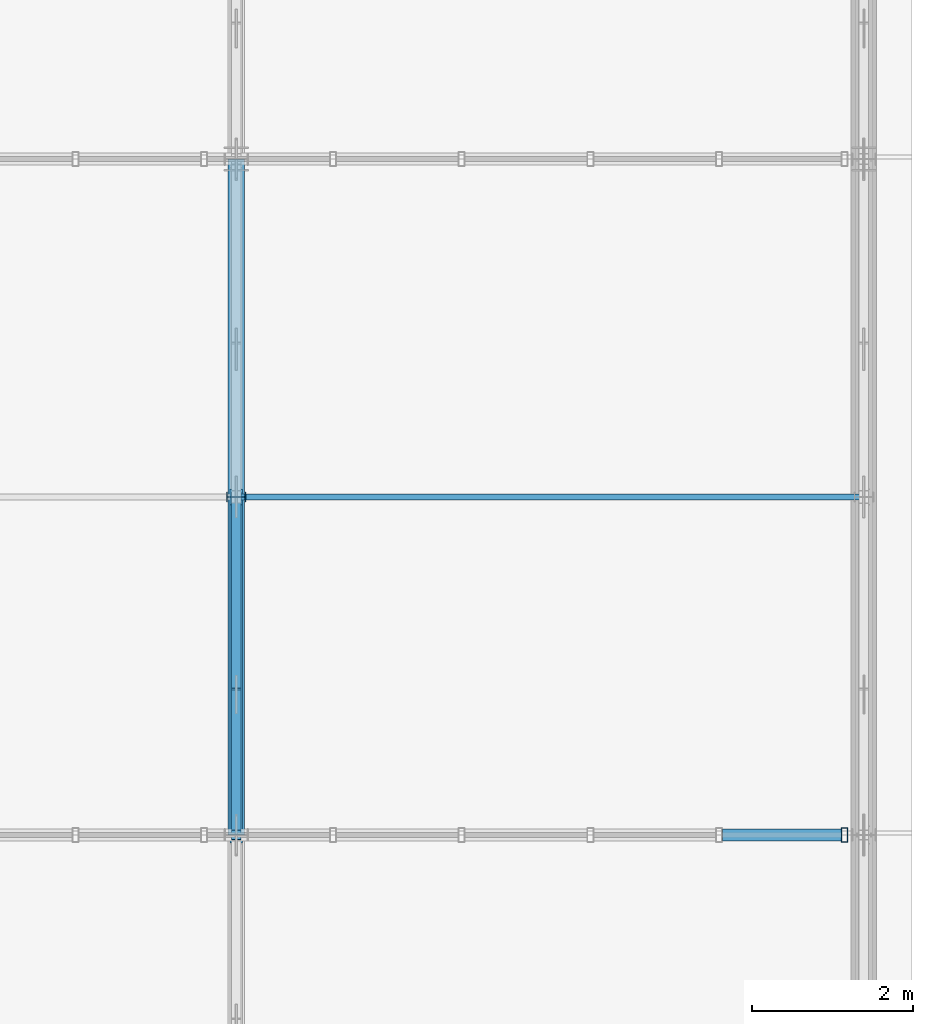
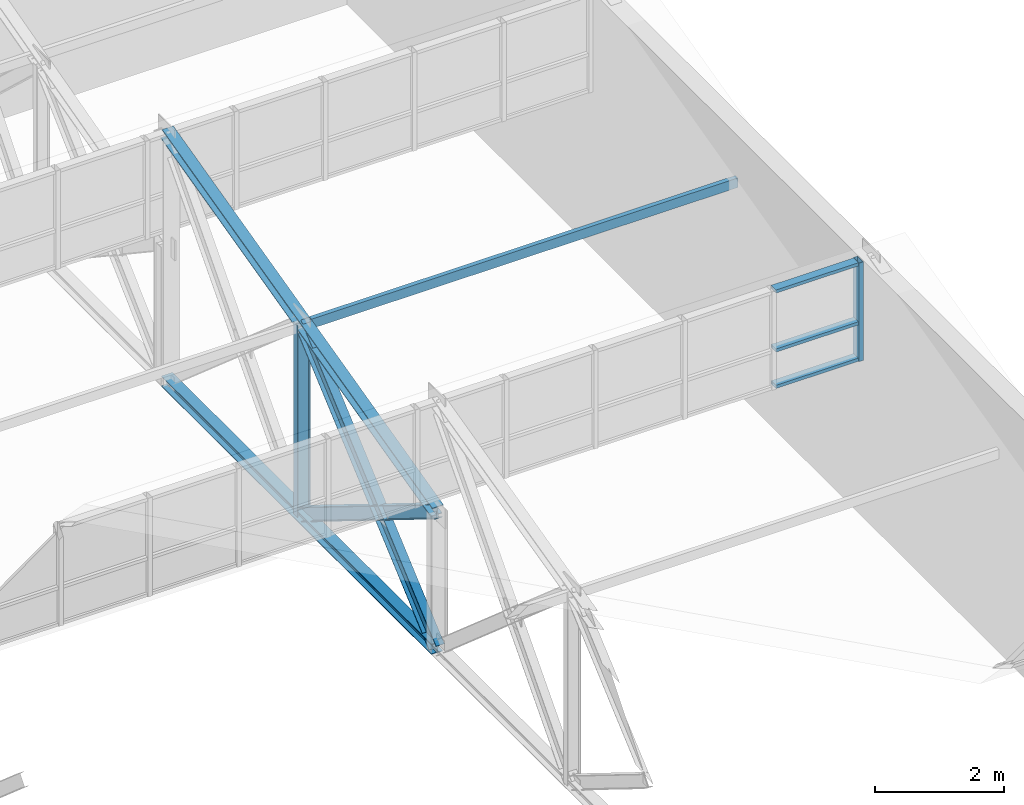
# One storey, part 80 of 123: 11 members, 1 element without a shape of its own.
"""IFC4 building model written with IfcOpenShell, lengths in metres."""

from ifc_helpers import new_model, si_unit, direction, frame, origin, origin_2d, place, context, subcontext, project, spatial, hollow_rectangle, i_section, extrude, material, layer, layer_set, material_profile, profile_set, type_object, element, aggregate, save


model = new_model("IFC4")

# Units and contexts
model_context = context("Model", 3, precision=1e-05, world=origin(), true_north=direction((0.0, 1.0)))
body_context = subcontext(model_context, "Body", "Model", "MODEL_VIEW")
ifc_project = project(units=[si_unit("LENGTHUNIT", "METRE"), si_unit("AREAUNIT", "SQUARE_METRE"), si_unit("VOLUMEUNIT", "CUBIC_METRE"), si_unit("PLANEANGLEUNIT", "RADIAN"), si_unit("MASSUNIT", "GRAM", prefix="KILO")], contexts=[model_context])

# Site, building, storey
site_placement = place(None, origin())
site = spatial("IfcSite", under=ifc_project, at=site_placement, CompositionType="ELEMENT")
building_placement = place(site_placement, origin())
building = spatial("IfcBuilding", under=site, at=building_placement, Name="Zayran Congress Hotel", CompositionType="ELEMENT")
storey_placement = place(building_placement, frame((0.0, 0.0, 15.0)))
storey = spatial("IfcBuildingStorey", under=building, at=storey_placement, Name="L03", CompositionType="ELEMENT", Elevation=15.0)

# Members
ifc_material_1 = material(Name="Steel S355", Category="steel")
ifc_material_profile_1 = material_profile(ifc_material_1, i_section(OverallWidth=0.199951171875, OverallDepth=0.199951171875, WebThickness=0.009033203125, FlangeThickness=0.014892578125, at=origin_2d()), Name="HEB 200")
ifc_profile_set_1 = profile_set([ifc_material_profile_1], Name="Steel S355")
member_type_1 = type_object("IfcMemberType", Name="TP-TR-CH2", PredefinedType="CHORD", material=ifc_profile_set_1)
member_1_placement = place(storey_placement, frame((176.39990234375, 25.60009765625, 0.0), z_axis=(0.0, 1.0, 0.0), x_axis=(-1.0, 0.0, 0.0)))
element("IfcMember", 1, at=member_1_placement, inside=storey, type_object=member_type_1, Name="Sawtooth Truss Bottom Chord 726", PredefinedType="CHORD", context=body_context, shape_type="SweptSolid", body=[
    extrude(i_section(OverallWidth=0.199951171875, OverallDepth=0.199951171875, WebThickness=0.009033203125, FlangeThickness=0.014892578125, at=origin_2d()), origin(), (0.0, 0.0, 1.0), 8.39990234375),
])
member_2_placement = place(storey_placement, frame((176.39990234375, 25.60009765625, 2.60009765625), z_axis=(0.0, 0.970298236919, 0.241911825737), x_axis=(-1.0, 0.0, 0.0)))
element("IfcMember", 2, at=member_2_placement, inside=storey, type_object=member_type_1, Name="Sawtooth Truss Top Chord 727", PredefinedType="CHORD", context=body_context, shape_type="SweptSolid", body=[
    extrude(i_section(OverallWidth=0.199951171875, OverallDepth=0.199951171875, WebThickness=0.009033203125, FlangeThickness=0.014892578125, at=origin_2d()), origin(), (0.0, 0.0, 1.0), 8.656982421875),
])
ifc_material_profile_2 = material_profile(ifc_material_1, i_section(OverallWidth=0.14990234375, OverallDepth=0.300048828125, WebThickness=0.007080078125, FlangeThickness=0.0107421875, at=origin_2d()), Name="IPE 300")
ifc_profile_set_2 = profile_set([ifc_material_profile_2], Name="Steel S355")
member_type_2 = type_object("IfcMemberType", Name="TP-TR-BR1", PredefinedType="BRACE", material=ifc_profile_set_2)
member_3_placement = place(storey_placement, frame((176.39990234375, 25.60009765625, 0.0), z_axis=(0.0, 0.755042838954, 0.655675461904), x_axis=(-1.0, 0.0, 0.0)))
element("IfcMember", 3, at=member_3_placement, inside=storey, type_object=member_type_2, Name="Sawtooth Truss Diagonal 728", PredefinedType="BRACE", context=body_context, shape_type="SweptSolid", body=[
    extrude(i_section(OverallWidth=0.14990234375, OverallDepth=0.300048828125, WebThickness=0.007080078125, FlangeThickness=0.0107421875, at=origin_2d()), origin(), (0.0, 0.0, 1.0), 5.5625),
])
ifc_material_profile_3 = material_profile(ifc_material_1, i_section(OverallWidth=0.1201171875, OverallDepth=0.239990234375, WebThickness=0.006103515625, FlangeThickness=0.009765625, at=origin_2d()), Name="IPE 240")
ifc_profile_set_3 = profile_set([ifc_material_profile_3], Name="Steel S355")
member_type_3 = type_object("IfcMemberType", Name="TP-TR-BR2", PredefinedType="BRACE", material=ifc_profile_set_3)
member_4_placement = place(storey_placement, frame((176.39990234375, 25.60009765625, 2.60009765625), z_axis=(0.0, 0.850242199596, -0.526391681191), x_axis=(-1.0, 0.0, 0.0)))
element("IfcMember", 4, at=member_4_placement, inside=storey, type_object=member_type_3, Name="Sawtooth Truss Counter Diagonal Upper 729", PredefinedType="BRACE", context=body_context, shape_type="SweptSolid", body=[
    extrude(i_section(OverallWidth=0.1201171875, OverallDepth=0.239990234375, WebThickness=0.006103515625, FlangeThickness=0.009765625, at=origin_2d()), origin(), (0.0, 0.0, 1.0), 2.040771484375),
])
member_5_placement = place(storey_placement, frame((176.39990234375, 27.360595703125, 1.510009765625), z_axis=(0.0, 0.850285094949, -0.526322389137), x_axis=(-1.0, 0.0, 0.0)))
element("IfcMember", 5, at=member_5_placement, inside=storey, type_object=member_type_3, Name="Sawtooth Truss Counter Diagonal Lower 169", PredefinedType="BRACE", context=body_context, shape_type="SweptSolid", body=[
    extrude(i_section(OverallWidth=0.1201171875, OverallDepth=0.239990234375, WebThickness=0.006103515625, FlangeThickness=0.009765625, at=origin_2d()), origin(), (0.0, 0.0, 1.0), 2.868896484375),
])
member_6_placement = place(storey_placement, frame((176.39990234375, 29.800048828125, 0.0), z_axis=(0.0, 0.0, 1.0), x_axis=(0.0, 1.0, 0.0)))
element("IfcMember", 6, at=member_6_placement, inside=storey, type_object=member_type_3, Name="TRV-01 Sawtooth Truss Strut", PredefinedType="BRACE", context=body_context, shape_type="SweptSolid", body=[
    extrude(i_section(OverallWidth=0.1201171875, OverallDepth=0.239990234375, WebThickness=0.006103515625, FlangeThickness=0.009765625, at=origin_2d()), origin(), (0.0, 0.0, 1.0), 3.647216796875),
])
ifc_material_profile_4 = material_profile(ifc_material_1, hollow_rectangle(XDim=0.080078125, YDim=0.179931640625, WallThickness=0.0048828125, at=origin_2d()), Name="RHS 180x80x5")
ifc_profile_set_4 = profile_set([ifc_material_profile_4], Name="Steel S355")
member_type_4 = type_object("IfcMemberType", Name="TP-PR-02", PredefinedType="PURLIN", material=ifc_profile_set_4)
member_7_placement = place(storey_placement, frame((176.39990234375, 29.800048828125, 3.572265625), z_axis=(1.0, 0.0, 0.0), x_axis=(0.0, 1.0, 0.0)))
element("IfcMember", 7, at=member_7_placement, inside=storey, type_object=member_type_4, Name="MEM-PR-V3-0212", PredefinedType="PURLIN", context=body_context, shape_type="SweptSolid", body=[
    extrude(hollow_rectangle(XDim=0.080078125, YDim=0.179931640625, WallThickness=0.0048828125, at=origin_2d()), origin(), (0.0, 0.0, 1.0), 7.800048828125),
])

# Curtain wall, members
ifc_material_2 = material(Name="Anodised aluminium and low-E insulated glass", Category="aluminium")
ifc_layer = layer(ifc_material_2, 0.179931640625)
ifc_layer_set = layer_set([ifc_layer], Name="Anodised aluminium and low-E insulated glass")
curtain_wall_type = type_object("IfcCurtainWallType", Name="CW-V3SAW-L03-CW-V31-32000-1870", PredefinedType="USERDEFINED", material=ifc_layer_set)
curtain_wall_placement = place(storey_placement, origin())
curtain_wall = element("IfcCurtainWall", 8, at=curtain_wall_placement, inside=storey, type_object=curtain_wall_type, Name="CW-V3SAW-2", ObjectType="CURTAIN WALL", PredefinedType="USERDEFINED")
ifc_material_3 = material(Name="Anodised aluminium framing", Category="aluminium")
ifc_material_profile_5 = material_profile(ifc_material_3, hollow_rectangle(XDim=0.080078125, YDim=0.179931640625, WallThickness=0.0048828125, at=origin_2d()), Name="RHS 180x80x5")
ifc_profile_set_5 = profile_set([ifc_material_profile_5], Name="Anodised aluminium framing")
member_type_5 = type_object("IfcMemberType", Name="TP-CWM-01", PredefinedType="MULLION", material=ifc_profile_set_5)
member_8_placement = place(storey_placement, frame((183.9599609375, 25.60009765625, 2.85009765625), z_axis=(0.0, 0.0, 1.0), x_axis=(1.0, 0.0, 0.0)))
member_8 = element("IfcMember", 9, at=member_8_placement, type_object=member_type_5, Name="CW-V3SAW-2-M00", PredefinedType="MULLION", context=body_context, shape_type="SweptSolid", body=[
    extrude(hollow_rectangle(XDim=0.080078125, YDim=0.179931640625, WallThickness=0.0048828125, at=origin_2d()), origin(), (0.0, 0.0, 1.0), 1.869873046875),
])
ifc_material_profile_6 = material_profile(ifc_material_3, hollow_rectangle(XDim=0.06005859375, YDim=0.14990234375, WallThickness=0.00390625, at=origin_2d()), Name="RHS 150x60x4")
ifc_profile_set_6 = profile_set([ifc_material_profile_6], Name="Anodised aluminium framing")
member_type_6 = type_object("IfcMemberType", Name="TP-CWT-01", PredefinedType="USERDEFINED", material=ifc_profile_set_6)
member_9_placement = place(storey_placement, frame((183.919921875, 25.60009765625, 2.8798828125), z_axis=(-1.0, 0.0, 0.0), x_axis=(0.0, 0.0, 1.0)))
member_9 = element("IfcMember", 10, at=member_9_placement, type_object=member_type_6, Name="CW-V3SAW-2-T00-0", ObjectType="TRANSOM", PredefinedType="USERDEFINED", context=body_context, shape_type="SweptSolid", body=[
    extrude(hollow_rectangle(XDim=0.06005859375, YDim=0.14990234375, WallThickness=0.00390625, at=origin_2d()), origin(), (0.0, 0.0, 1.0), 1.47998046875),
])
member_10_placement = place(storey_placement, frame((183.919921875, 25.60009765625, 3.570068359375), z_axis=(-1.0, 0.0, 0.0), x_axis=(0.0, 0.0, 1.0)))
member_10 = element("IfcMember", 11, at=member_10_placement, type_object=member_type_6, Name="CW-V3SAW-2-T00-1", ObjectType="TRANSOM", PredefinedType="USERDEFINED", context=body_context, shape_type="SweptSolid", body=[
    extrude(hollow_rectangle(XDim=0.06005859375, YDim=0.14990234375, WallThickness=0.00390625, at=origin_2d()), origin(), (0.0, 0.0, 1.0), 1.47998046875),
])
member_11_placement = place(storey_placement, frame((183.919921875, 25.60009765625, 4.68994140625), z_axis=(-1.0, 0.0, 0.0), x_axis=(0.0, 0.0, 1.0)))
member_11 = element("IfcMember", 12, at=member_11_placement, type_object=member_type_6, Name="CW-V3SAW-2-T00-2", ObjectType="TRANSOM", PredefinedType="USERDEFINED", context=body_context, shape_type="SweptSolid", body=[
    extrude(hollow_rectangle(XDim=0.06005859375, YDim=0.14990234375, WallThickness=0.00390625, at=origin_2d()), origin(), (0.0, 0.0, 1.0), 1.47998046875),
])
aggregate(curtain_wall, [member_8, member_9, member_10, member_11])

save(model, "model.ifc")
